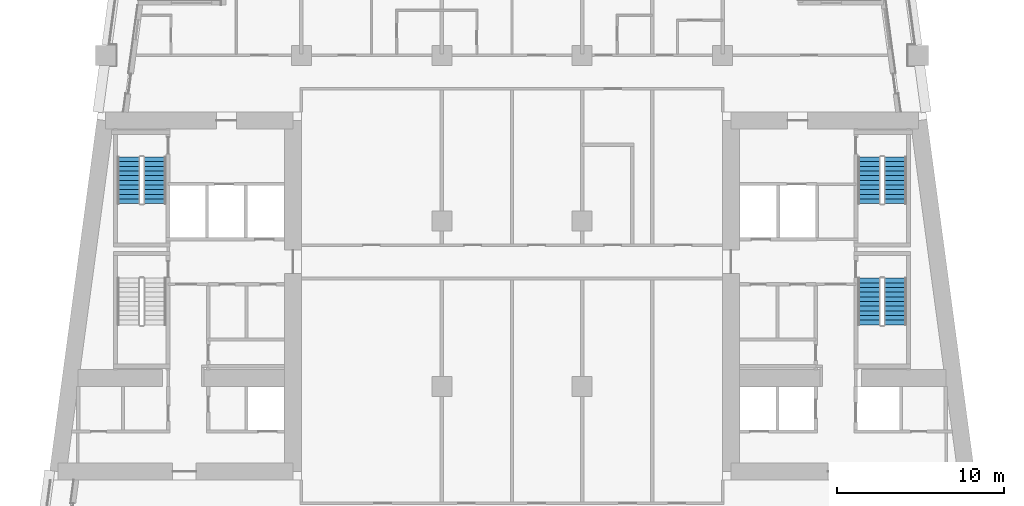
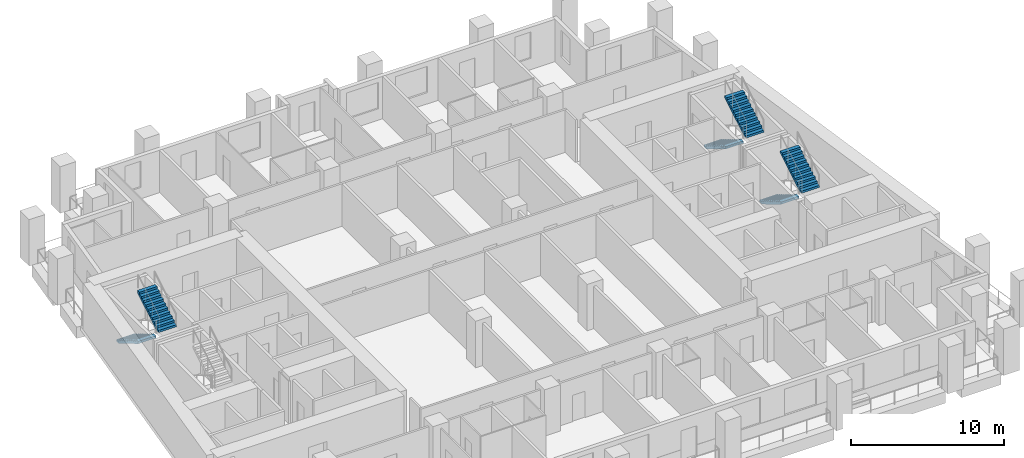
# One storey, part 8 of 13: 6 stair flights, 3 elements without a shape of their own.
"""IFC4 building model written with IfcOpenShell, lengths in metres."""

from ifc_helpers import new_model, si_unit, direction, frame, origin, place, context, subcontext, project, spatial, polyline, outline, extrude, material, type_object, element, aggregate, save


model = new_model("IFC4")

# Units and contexts
model_context = context("Model", 3, precision=1e-05, world=origin(), true_north=direction((0.0, 1.0)))
body_context = subcontext(model_context, "Body", "Model", "MODEL_VIEW")
ifc_project = project(units=[si_unit("LENGTHUNIT", "METRE"), si_unit("AREAUNIT", "SQUARE_METRE"), si_unit("VOLUMEUNIT", "CUBIC_METRE"), si_unit("PLANEANGLEUNIT", "RADIAN"), si_unit("MASSUNIT", "GRAM", prefix="KILO")], contexts=[model_context])

# Site, building, storey
site_placement = place(None, origin())
site = spatial("IfcSite", under=ifc_project, at=site_placement, CompositionType="ELEMENT")
building_placement = place(site_placement, origin())
building = spatial("IfcBuilding", under=site, at=building_placement, Name="Candeia Pilgrim Tower and Theatre", CompositionType="ELEMENT")
storey_placement = place(building_placement, frame((0.0, 0.0, 113.199951171875)))
storey = spatial("IfcBuildingStorey", under=building, at=storey_placement, Name="L26", CompositionType="ELEMENT", Elevation=113.199951171875)

# Stair, stair flights
ifc_material = material(Name="Concrete C40/50", Category="concrete")
stair_type = type_object("IfcStairType", Name="ST-TWR dog-leg escape stair", PredefinedType="HALF_TURN_STAIR", material=ifc_material)
stair_1_placement = place(storey_placement, origin())
stair_1 = element("IfcStair", 1, at=stair_1_placement, inside=storey, type_object=stair_type, Name="L26 Escape stair ST2", PredefinedType="HALF_TURN_STAIR")
stair_flight_type = type_object("IfcStairFlightType", Name="SFL-RC stair flight", PredefinedType="STRAIGHT", material=ifc_material)
stair_flight_1_placement = place(storey_placement, frame((90.47705078125, 129.72509765625, 0.0), z_axis=(0.0, 0.0, 1.0), x_axis=(0.0, -1.0, 0.0)))
stair_flight_1 = element("IfcStairFlight", 2, at=stair_flight_1_placement, type_object=stair_flight_type, Name="ST2 flight 1", NumberOfRisers=11, NumberOfTreads=10, PredefinedType="STRAIGHT", RiserHeight=0.168181818, TreadLength=0.28, context=body_context, shape_type="SweptSolid", body=[
    extrude(outline(polyline([(0.0, 0.0), (0.0, 0.168212890625), (0.280029296875, 0.168212890625), (0.280029296875, 0.33642578125), (0.56005859375, 0.33642578125), (0.56005859375, 0.504638671875), (0.840087890625, 0.504638671875), (0.840087890625, 0.672607421875), (1.1201171875, 0.672607421875), (1.1201171875, 0.8408203125), (1.39990234375, 0.8408203125), (1.39990234375, 1.009033203125), (1.679931640625, 1.009033203125), (1.679931640625, 1.17724609375), (1.9599609375, 1.17724609375), (1.9599609375, 1.345458984375), (2.239990234375, 1.345458984375), (2.239990234375, 1.513671875), (2.52001953125, 1.513671875), (2.52001953125, 1.681884765625), (2.800048828125, 1.681884765625), (2.800048828125, 1.85009765625), (2.800048828125, 1.5068359375), (0.291015625, 0.0), (0.0, 0.0)])), frame((0.0, 0.675048828125, 0.0), z_axis=(0.0, -1.0, 0.0), x_axis=(1.0, 0.0, 0.0)), (0.0, 0.0, 1.0), 1.35009765625),
])
stair_flight_2_placement = place(storey_placement, frame((92.027099609375, 126.925048828125, 1.85009765625), z_axis=(0.0, 0.0, 1.0), x_axis=(0.0, 1.0, 0.0)))
stair_flight_2 = element("IfcStairFlight", 3, at=stair_flight_2_placement, type_object=stair_flight_type, Name="ST2 flight 2", NumberOfRisers=11, NumberOfTreads=10, PredefinedType="STRAIGHT", RiserHeight=0.168181818, TreadLength=0.28, context=body_context, shape_type="SweptSolid", body=[
    extrude(outline(polyline([(0.0, 0.0), (0.0, 0.168212890625), (0.280029296875, 0.168212890625), (0.280029296875, 0.33642578125), (0.56005859375, 0.33642578125), (0.56005859375, 0.504638671875), (0.840087890625, 0.504638671875), (0.840087890625, 0.672607421875), (1.1201171875, 0.672607421875), (1.1201171875, 0.8408203125), (1.39990234375, 0.8408203125), (1.39990234375, 1.009033203125), (1.679931640625, 1.009033203125), (1.679931640625, 1.17724609375), (1.9599609375, 1.17724609375), (1.9599609375, 1.345458984375), (2.239990234375, 1.345458984375), (2.239990234375, 1.513671875), (2.52001953125, 1.513671875), (2.52001953125, 1.681884765625), (2.800048828125, 1.681884765625), (2.800048828125, 1.85009765625), (2.800048828125, 1.5068359375), (0.291015625, 0.0), (0.0, 0.0)])), frame((0.0, 0.675048828125, 0.0), z_axis=(0.0, -1.0, 0.0), x_axis=(1.0, 0.0, 0.0)), (0.0, 0.0, 1.0), 1.35009765625),
])
aggregate(stair_1, [stair_flight_1, stair_flight_2])

stair_2_placement = place(storey_placement, origin())
stair_2 = element("IfcStair", 4, at=stair_2_placement, inside=storey, type_object=stair_type, Name="L26 Escape stair ST3", PredefinedType="HALF_TURN_STAIR")
stair_flight_3_placement = place(storey_placement, frame((134.77294921875, 122.47509765625, 0.0), z_axis=(0.0, 0.0, 1.0), x_axis=(0.0, -1.0, 0.0)))
stair_flight_3 = element("IfcStairFlight", 5, at=stair_flight_3_placement, type_object=stair_flight_type, Name="ST3 flight 1", NumberOfRisers=11, NumberOfTreads=10, PredefinedType="STRAIGHT", RiserHeight=0.168181818, TreadLength=0.28, context=body_context, shape_type="SweptSolid", body=[
    extrude(outline(polyline([(0.0, 0.0), (0.0, 0.168212890625), (0.280029296875, 0.168212890625), (0.280029296875, 0.33642578125), (0.56005859375, 0.33642578125), (0.56005859375, 0.504638671875), (0.840087890625, 0.504638671875), (0.840087890625, 0.672607421875), (1.1201171875, 0.672607421875), (1.1201171875, 0.8408203125), (1.39990234375, 0.8408203125), (1.39990234375, 1.009033203125), (1.679931640625, 1.009033203125), (1.679931640625, 1.17724609375), (1.9599609375, 1.17724609375), (1.9599609375, 1.345458984375), (2.239990234375, 1.345458984375), (2.239990234375, 1.513671875), (2.52001953125, 1.513671875), (2.52001953125, 1.681884765625), (2.800048828125, 1.681884765625), (2.800048828125, 1.85009765625), (2.800048828125, 1.5068359375), (0.291015625, 0.0), (0.0, 0.0)])), frame((0.0, 0.675048828125, 0.0), z_axis=(0.0, -1.0, 0.0), x_axis=(1.0, 0.0, 0.0)), (0.0, 0.0, 1.0), 1.35009765625),
])
stair_flight_4_placement = place(storey_placement, frame((136.322998046875, 119.675048828125, 1.85009765625), z_axis=(0.0, 0.0, 1.0), x_axis=(0.0, 1.0, 0.0)))
stair_flight_4 = element("IfcStairFlight", 6, at=stair_flight_4_placement, type_object=stair_flight_type, Name="ST3 flight 2", NumberOfRisers=11, NumberOfTreads=10, PredefinedType="STRAIGHT", RiserHeight=0.168181818, TreadLength=0.28, context=body_context, shape_type="SweptSolid", body=[
    extrude(outline(polyline([(0.0, 0.0), (0.0, 0.168212890625), (0.280029296875, 0.168212890625), (0.280029296875, 0.33642578125), (0.56005859375, 0.33642578125), (0.56005859375, 0.504638671875), (0.840087890625, 0.504638671875), (0.840087890625, 0.672607421875), (1.1201171875, 0.672607421875), (1.1201171875, 0.8408203125), (1.39990234375, 0.8408203125), (1.39990234375, 1.009033203125), (1.679931640625, 1.009033203125), (1.679931640625, 1.17724609375), (1.9599609375, 1.17724609375), (1.9599609375, 1.345458984375), (2.239990234375, 1.345458984375), (2.239990234375, 1.513671875), (2.52001953125, 1.513671875), (2.52001953125, 1.681884765625), (2.800048828125, 1.681884765625), (2.800048828125, 1.85009765625), (2.800048828125, 1.5068359375), (0.291015625, 0.0), (0.0, 0.0)])), frame((0.0, 0.675048828125, 0.0), z_axis=(0.0, -1.0, 0.0), x_axis=(1.0, 0.0, 0.0)), (0.0, 0.0, 1.0), 1.35009765625),
])
aggregate(stair_2, [stair_flight_3, stair_flight_4])

stair_3_placement = place(storey_placement, origin())
stair_3 = element("IfcStair", 7, at=stair_3_placement, inside=storey, type_object=stair_type, Name="L26 Escape stair ST4", PredefinedType="HALF_TURN_STAIR")
stair_flight_5_placement = place(storey_placement, frame((134.77294921875, 129.72509765625, 0.0), z_axis=(0.0, 0.0, 1.0), x_axis=(0.0, -1.0, 0.0)))
stair_flight_5 = element("IfcStairFlight", 8, at=stair_flight_5_placement, type_object=stair_flight_type, Name="ST4 flight 1", NumberOfRisers=11, NumberOfTreads=10, PredefinedType="STRAIGHT", RiserHeight=0.168181818, TreadLength=0.28, context=body_context, shape_type="SweptSolid", body=[
    extrude(outline(polyline([(0.0, 0.0), (0.0, 0.168212890625), (0.280029296875, 0.168212890625), (0.280029296875, 0.33642578125), (0.56005859375, 0.33642578125), (0.56005859375, 0.504638671875), (0.840087890625, 0.504638671875), (0.840087890625, 0.672607421875), (1.1201171875, 0.672607421875), (1.1201171875, 0.8408203125), (1.39990234375, 0.8408203125), (1.39990234375, 1.009033203125), (1.679931640625, 1.009033203125), (1.679931640625, 1.17724609375), (1.9599609375, 1.17724609375), (1.9599609375, 1.345458984375), (2.239990234375, 1.345458984375), (2.239990234375, 1.513671875), (2.52001953125, 1.513671875), (2.52001953125, 1.681884765625), (2.800048828125, 1.681884765625), (2.800048828125, 1.85009765625), (2.800048828125, 1.5068359375), (0.291015625, 0.0), (0.0, 0.0)])), frame((0.0, 0.675048828125, 0.0), z_axis=(0.0, -1.0, 0.0), x_axis=(1.0, 0.0, 0.0)), (0.0, 0.0, 1.0), 1.35009765625),
])
stair_flight_6_placement = place(storey_placement, frame((136.322998046875, 126.925048828125, 1.85009765625), z_axis=(0.0, 0.0, 1.0), x_axis=(0.0, 1.0, 0.0)))
stair_flight_6 = element("IfcStairFlight", 9, at=stair_flight_6_placement, type_object=stair_flight_type, Name="ST4 flight 2", NumberOfRisers=11, NumberOfTreads=10, PredefinedType="STRAIGHT", RiserHeight=0.168181818, TreadLength=0.28, context=body_context, shape_type="SweptSolid", body=[
    extrude(outline(polyline([(0.0, 0.0), (0.0, 0.168212890625), (0.280029296875, 0.168212890625), (0.280029296875, 0.33642578125), (0.56005859375, 0.33642578125), (0.56005859375, 0.504638671875), (0.840087890625, 0.504638671875), (0.840087890625, 0.672607421875), (1.1201171875, 0.672607421875), (1.1201171875, 0.8408203125), (1.39990234375, 0.8408203125), (1.39990234375, 1.009033203125), (1.679931640625, 1.009033203125), (1.679931640625, 1.17724609375), (1.9599609375, 1.17724609375), (1.9599609375, 1.345458984375), (2.239990234375, 1.345458984375), (2.239990234375, 1.513671875), (2.52001953125, 1.513671875), (2.52001953125, 1.681884765625), (2.800048828125, 1.681884765625), (2.800048828125, 1.85009765625), (2.800048828125, 1.5068359375), (0.291015625, 0.0), (0.0, 0.0)])), frame((0.0, 0.675048828125, 0.0), z_axis=(0.0, -1.0, 0.0), x_axis=(1.0, 0.0, 0.0)), (0.0, 0.0, 1.0), 1.35009765625),
])
aggregate(stair_3, [stair_flight_5, stair_flight_6])

save(model, "model.ifc")
